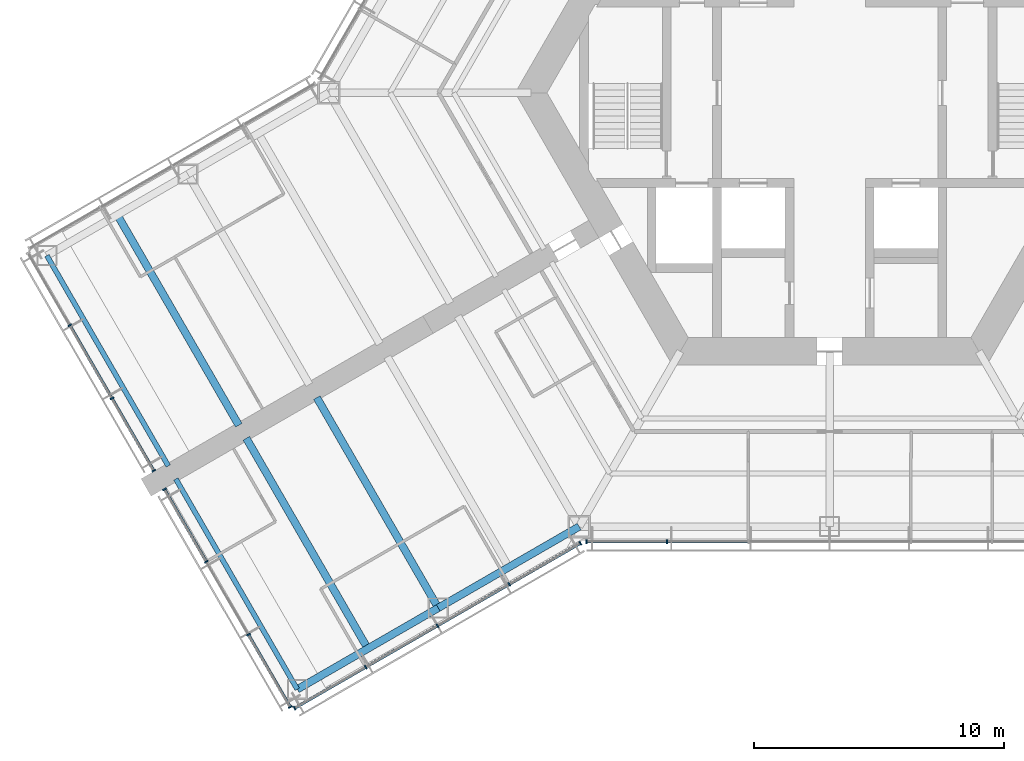
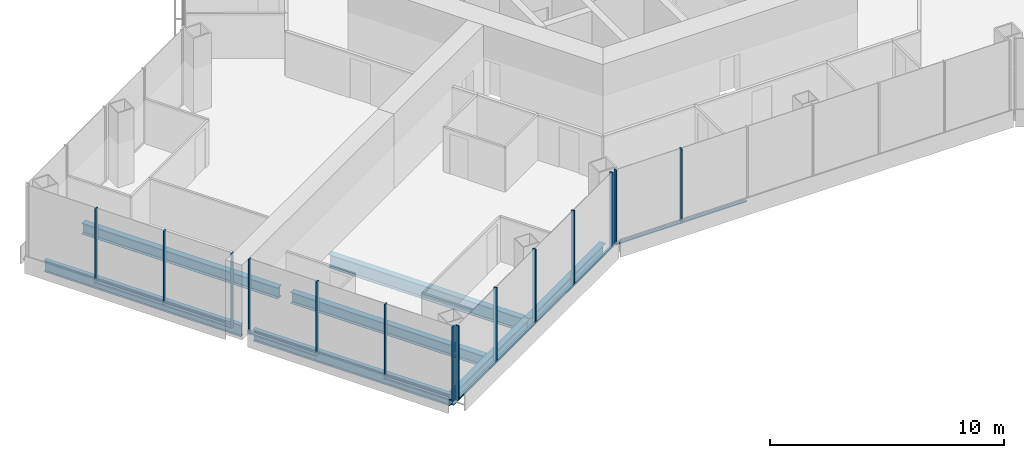
# One storey, part 2 of 18: 24 members, 7 beams, 4 elements without a shape of their own.
"""IFC4 building model written with IfcOpenShell, lengths in metres."""

from ifc_helpers import new_model, si_unit, direction, frame, origin, origin_2d, place, context, subcontext, project, spatial, rectangle, i_section, extrude, material, material_profile, profile_set, type_object, element, aggregate, save


model = new_model("IFC4")

# Units and contexts
model_context = context("Model", 3, precision=1e-05, world=origin(), true_north=direction((0.0, 1.0)))
body_context = subcontext(model_context, "Body", "Model", "MODEL_VIEW")
ifc_project = project(units=[si_unit("LENGTHUNIT", "METRE"), si_unit("AREAUNIT", "SQUARE_METRE"), si_unit("VOLUMEUNIT", "CUBIC_METRE"), si_unit("PLANEANGLEUNIT", "RADIAN"), si_unit("MASSUNIT", "GRAM", prefix="KILO")], contexts=[model_context])

# Site, building, storey
site_placement = place(None, origin())
site = spatial("IfcSite", under=ifc_project, at=site_placement, CompositionType="ELEMENT")
building_placement = place(site_placement, origin())
building = spatial("IfcBuilding", under=site, at=building_placement, Name="Kasaneha Research Tower", CompositionType="ELEMENT")
storey_placement = place(building_placement, frame((0.0, 0.0, 119.699951171875)))
storey = spatial("IfcBuildingStorey", under=building, at=storey_placement, Name="L30", CompositionType="ELEMENT", Elevation=119.699951171875)

# Beams
ifc_material_1 = material(Name="Steel SN490B", Category="steel")
ifc_material_profile_1 = material_profile(ifc_material_1, i_section(OverallWidth=0.300048828125, OverallDepth=0.58203125, WebThickness=0.011962890625, FlangeThickness=0.01708984375, FilletRadius=0.012939453125, at=origin_2d()), Name="H-582x300x12x17")
ifc_profile_set_1 = profile_set([ifc_material_profile_1], Name="Steel SN490B")
beam_type_1 = type_object("IfcBeamType", Name="B2-3 secondary beam H-582x300x12x17", PredefinedType="JOIST", material=ifc_profile_set_1)
for number, where, z_axis, x_axis, name in (
    (1, (-28.44384765625, -4.875, -0.44091796875), (0.500010041276, -0.866019606374, 0.0), (0.866019606374, 0.500010041276, 0.0), "Secondary beam WBBP2 L30"),
    (2, (-18.44384765625, -22.195556640625, -0.44091796875), (-0.499991164321, 0.866030505006, 0.0), (-0.866030505006, -0.499991164321, 0.0), "Secondary beam WBBN2 L30"),
):
    element("IfcBeam", number, at=place(storey_placement, frame(where, z_axis=z_axis, x_axis=x_axis)), inside=storey, type_object=beam_type_1, Name=name, PredefinedType="JOIST", context=body_context, shape_type="SweptSolid", body=[
        extrude(i_section(OverallWidth=0.300048828125, OverallDepth=0.58203125, WebThickness=0.011962890625, FlangeThickness=0.01708984375, FilletRadius=0.012939453125, at=origin_2d()), origin(), (0.0, 0.0, 1.0), 9.699951171875),
    ])

# Curtain wall, members
ifc_material_2 = material(Name="Glass and aluminium", Category="aluminium")
curtain_wall_type = type_object("IfcCurtainWallType", Name="Low-rise office curtain wall", PredefinedType="USERDEFINED", material=ifc_material_2)
curtain_wall_1_placement = place(storey_placement, origin())
curtain_wall_1 = element("IfcCurtainWall", 3, at=curtain_wall_1_placement, inside=storey, type_object=curtain_wall_type, Name="CW-O1 L30 run 01a", ObjectType="UNITISED CURTAIN WALL", PredefinedType="USERDEFINED")
ifc_material_3 = material(Name="Aluminium 6063-T6", Category="aluminium")
ifc_material_profile_2 = material_profile(ifc_material_3, rectangle(XDim=0.06005859375, YDim=0.159912109375, at=origin_2d()), Name="CW-O1 mullion 60x160")
ifc_profile_set_2 = profile_set([ifc_material_profile_2], Name="Aluminium 6063-T6")
member_type_1 = type_object("IfcMemberType", Name="CW-O1 mullion", PredefinedType="MULLION", material=ifc_profile_set_2)
member_1_placement = place(storey_placement, frame((-21.365478515625, -24.5751953125, 0.0), z_axis=(0.0, 0.0, 1.0), x_axis=(0.866025411464, 0.499999986699, 0.0)))
member_1 = element("IfcMember", 4, at=member_1_placement, type_object=member_type_1, Name="CW-O1 mullion 1", PredefinedType="MULLION", context=body_context, shape_type="SweptSolid", body=[
    extrude(rectangle(XDim=0.06005859375, YDim=0.159912109375, at=origin_2d()), origin(), (0.0, 0.0, 1.0), 3.900146484375),
])
member_2_placement = place(storey_placement, frame((-18.52490234375, -22.935302734375, 0.0), z_axis=(0.0, 0.0, 1.0), x_axis=(0.866025411464, 0.499999986699, 0.0)))
member_2 = element("IfcMember", 5, at=member_2_placement, type_object=member_type_1, Name="CW-O1 mullion 2", PredefinedType="MULLION", context=body_context, shape_type="SweptSolid", body=[
    extrude(rectangle(XDim=0.06005859375, YDim=0.159912109375, at=origin_2d()), origin(), (0.0, 0.0, 1.0), 3.900146484375),
])
member_3_placement = place(storey_placement, frame((-15.65869140625, -21.2802734375, 0.0), z_axis=(0.0, 0.0, 1.0), x_axis=(0.866025411464, 0.499999986699, 0.0)))
member_3 = element("IfcMember", 6, at=member_3_placement, type_object=member_type_1, Name="CW-O1 mullion 3", PredefinedType="MULLION", context=body_context, shape_type="SweptSolid", body=[
    extrude(rectangle(XDim=0.06005859375, YDim=0.159912109375, at=origin_2d()), origin(), (0.0, 0.0, 1.0), 3.900146484375),
])
member_4_placement = place(storey_placement, frame((-12.792236328125, -19.62548828125, 0.0), z_axis=(0.0, 0.0, 1.0), x_axis=(0.866025411464, 0.499999986699, 0.0)))
member_4 = element("IfcMember", 7, at=member_4_placement, type_object=member_type_1, Name="CW-O1 mullion 4", PredefinedType="MULLION", context=body_context, shape_type="SweptSolid", body=[
    extrude(rectangle(XDim=0.06005859375, YDim=0.159912109375, at=origin_2d()), origin(), (0.0, 0.0, 1.0), 3.900146484375),
])
member_5_placement = place(storey_placement, frame((-9.951904296875, -17.985595703125, 0.0), z_axis=(0.0, 0.0, 1.0), x_axis=(0.866025411464, 0.499999986699, 0.0)))
member_5 = element("IfcMember", 8, at=member_5_placement, type_object=member_type_1, Name="CW-O1 mullion 5", PredefinedType="MULLION", context=body_context, shape_type="SweptSolid", body=[
    extrude(rectangle(XDim=0.06005859375, YDim=0.159912109375, at=origin_2d()), origin(), (0.0, 0.0, 1.0), 3.900146484375),
])

curtain_wall_2_placement = place(storey_placement, origin())
curtain_wall_2 = element("IfcCurtainWall", 9, at=curtain_wall_2_placement, inside=storey, type_object=curtain_wall_type, Name="CW-O1 L30 run 02a", ObjectType="UNITISED CURTAIN WALL", PredefinedType="USERDEFINED")
member_6_placement = place(storey_placement, frame((-9.709228515625, -17.92041015625, 0.0), z_axis=(0.0, 0.0, 1.0), x_axis=(1.0, 0.0, 0.0)))
member_6 = element("IfcMember", 10, at=member_6_placement, type_object=member_type_1, Name="CW-O1 mullion 1", PredefinedType="MULLION", context=body_context, shape_type="SweptSolid", body=[
    extrude(rectangle(XDim=0.06005859375, YDim=0.159912109375, at=origin_2d()), origin(), (0.0, 0.0, 1.0), 3.900146484375),
])
member_7_placement = place(storey_placement, frame((-6.492919921875, -17.92041015625, 0.0), z_axis=(0.0, 0.0, 1.0), x_axis=(1.0, 0.0, 0.0)))
member_7 = element("IfcMember", 11, at=member_7_placement, type_object=member_type_1, Name="CW-O1 mullion 2", PredefinedType="MULLION", context=body_context, shape_type="SweptSolid", body=[
    extrude(rectangle(XDim=0.06005859375, YDim=0.159912109375, at=origin_2d()), origin(), (0.0, 0.0, 1.0), 3.900146484375),
])

curtain_wall_3_placement = place(storey_placement, origin())
curtain_wall_3 = element("IfcCurtainWall", 12, at=curtain_wall_3_placement, inside=storey, type_object=curtain_wall_type, Name="CW-O1 L30 run 14a", ObjectType="UNITISED CURTAIN WALL", PredefinedType="USERDEFINED")
member_8_placement = place(storey_placement, frame((-30.3447265625, -9.28271484375, 0.0), z_axis=(0.0, 0.0, 1.0), x_axis=(0.500000011442, -0.866025397178, 0.0)))
member_8 = element("IfcMember", 13, at=member_8_placement, type_object=member_type_1, Name="CW-O1 mullion 2", PredefinedType="MULLION", context=body_context, shape_type="SweptSolid", body=[
    extrude(rectangle(XDim=0.06005859375, YDim=0.159912109375, at=origin_2d()), origin(), (0.0, 0.0, 1.0), 3.900146484375),
])
member_9_placement = place(storey_placement, frame((-28.661376953125, -12.1982421875, 0.0), z_axis=(0.0, 0.0, 1.0), x_axis=(0.500000011442, -0.866025397178, 0.0)))
member_9 = element("IfcMember", 14, at=member_9_placement, type_object=member_type_1, Name="CW-O1 mullion 3", PredefinedType="MULLION", context=body_context, shape_type="SweptSolid", body=[
    extrude(rectangle(XDim=0.06005859375, YDim=0.159912109375, at=origin_2d()), origin(), (0.0, 0.0, 1.0), 3.900146484375),
])
member_10_placement = place(storey_placement, frame((-26.992919921875, -15.087890625, 0.0), z_axis=(0.0, 0.0, 1.0), x_axis=(0.500000011442, -0.866025397178, 0.0)))
member_10 = element("IfcMember", 15, at=member_10_placement, type_object=member_type_1, Name="CW-O1 mullion 4", PredefinedType="MULLION", context=body_context, shape_type="SweptSolid", body=[
    extrude(rectangle(XDim=0.06005859375, YDim=0.159912109375, at=origin_2d()), origin(), (0.0, 0.0, 1.0), 3.900146484375),
])

curtain_wall_4_placement = place(storey_placement, origin())
curtain_wall_4 = element("IfcCurtainWall", 16, at=curtain_wall_4_placement, inside=storey, type_object=curtain_wall_type, Name="CW-O1 L30 run 15a", ObjectType="UNITISED CURTAIN WALL", PredefinedType="USERDEFINED")
member_11_placement = place(storey_placement, frame((-26.56298828125, -15.832763671875, 0.0), z_axis=(0.0, 0.0, 1.0), x_axis=(0.500000011442, -0.866025397178, 0.0)))
member_11 = element("IfcMember", 17, at=member_11_placement, type_object=member_type_1, Name="CW-O1 mullion 1", PredefinedType="MULLION", context=body_context, shape_type="SweptSolid", body=[
    extrude(rectangle(XDim=0.06005859375, YDim=0.159912109375, at=origin_2d()), origin(), (0.0, 0.0, 1.0), 3.900146484375),
])
member_12_placement = place(storey_placement, frame((-24.89453125, -18.72216796875, 0.0), z_axis=(0.0, 0.0, 1.0), x_axis=(0.500000011442, -0.866025397178, 0.0)))
member_12 = element("IfcMember", 18, at=member_12_placement, type_object=member_type_1, Name="CW-O1 mullion 2", PredefinedType="MULLION", context=body_context, shape_type="SweptSolid", body=[
    extrude(rectangle(XDim=0.06005859375, YDim=0.159912109375, at=origin_2d()), origin(), (0.0, 0.0, 1.0), 3.900146484375),
])
member_13_placement = place(storey_placement, frame((-23.211181640625, -21.637939453125, 0.0), z_axis=(0.0, 0.0, 1.0), x_axis=(0.500000011442, -0.866025397178, 0.0)))
member_13 = element("IfcMember", 19, at=member_13_placement, type_object=member_type_1, Name="CW-O1 mullion 3", PredefinedType="MULLION", context=body_context, shape_type="SweptSolid", body=[
    extrude(rectangle(XDim=0.06005859375, YDim=0.159912109375, at=origin_2d()), origin(), (0.0, 0.0, 1.0), 3.900146484375),
])
member_14_placement = place(storey_placement, frame((-21.54296875, -24.527587890625, 0.0), z_axis=(0.0, 0.0, 1.0), x_axis=(0.500000011442, -0.866025397178, 0.0)))
member_14 = element("IfcMember", 20, at=member_14_placement, type_object=member_type_1, Name="CW-O1 mullion 4", PredefinedType="MULLION", context=body_context, shape_type="SweptSolid", body=[
    extrude(rectangle(XDim=0.06005859375, YDim=0.159912109375, at=origin_2d()), origin(), (0.0, 0.0, 1.0), 3.900146484375),
])

# Member
ifc_material_4 = material(Name="Aluminium 6063-T6", Category="aluminium")
ifc_material_profile_3 = material_profile(ifc_material_4, rectangle(XDim=0.1201171875, YDim=0.06005859375, at=origin_2d()), Name="CW-O1 transom 120x60")
ifc_profile_set_3 = profile_set([ifc_material_profile_3], Name="Aluminium 6063-T6")
member_type_2 = type_object("IfcMemberType", Name="CW-O1 transom", PredefinedType="USERDEFINED", material=ifc_profile_set_3)
member_15_placement = place(storey_placement, frame((-21.33935546875, -24.56005859375, 0.030029296875), z_axis=(0.866022692473, 0.500004696101, 0.0), x_axis=(-0.500004696101, 0.866022692473, 0.0)))
member_15 = element("IfcMember", 21, at=member_15_placement, type_object=member_type_2, Name="CW-O1 transom 1", ObjectType="TRANSOM", PredefinedType="USERDEFINED", context=body_context, shape_type="SweptSolid", body=[
    extrude(rectangle(XDim=0.1201171875, YDim=0.06005859375, at=origin_2d()), origin(), (0.0, 0.0, 1.0), 3.2197265625),
])

member_16_placement = place(storey_placement, frame((-18.4990234375, -22.920166015625, 0.030029296875), z_axis=(0.86604797581, 0.499960902066, 0.0), x_axis=(-0.499960902066, 0.86604797581, 0.0)))
member_16 = element("IfcMember", 22, at=member_16_placement, type_object=member_type_2, Name="CW-O1 transom 2", ObjectType="TRANSOM", PredefinedType="USERDEFINED", context=body_context, shape_type="SweptSolid", body=[
    extrude(rectangle(XDim=0.1201171875, YDim=0.06005859375, at=origin_2d()), origin(), (0.0, 0.0, 1.0), 3.249755859375),
])

member_17_placement = place(storey_placement, frame((-15.632568359375, -21.265380859375, 0.030029296875), z_axis=(0.866015446554, 0.500017246033, 0.0), x_axis=(-0.500017246033, 0.866015446554, 0.0)))
member_17 = element("IfcMember", 23, at=member_17_placement, type_object=member_type_2, Name="CW-O1 transom 3", ObjectType="TRANSOM", PredefinedType="USERDEFINED", context=body_context, shape_type="SweptSolid", body=[
    extrude(rectangle(XDim=0.1201171875, YDim=0.06005859375, at=origin_2d()), origin(), (0.0, 0.0, 1.0), 3.25),
])

member_18_placement = place(storey_placement, frame((-12.76611328125, -19.6103515625, 0.030029296875), z_axis=(0.866022692473, 0.500004696101, 0.0), x_axis=(-0.500004696101, 0.866022692473, 0.0)))
member_18 = element("IfcMember", 24, at=member_18_placement, type_object=member_type_2, Name="CW-O1 transom 4", ObjectType="TRANSOM", PredefinedType="USERDEFINED", context=body_context, shape_type="SweptSolid", body=[
    extrude(rectangle(XDim=0.1201171875, YDim=0.06005859375, at=origin_2d()), origin(), (0.0, 0.0, 1.0), 3.2197265625),
])

aggregate(curtain_wall_1, [member_1, member_2, member_3, member_4, member_5, member_15, member_16, member_17, member_18])

member_19_placement = place(storey_placement, frame((-9.67919921875, -17.92041015625, 0.030029296875), z_axis=(1.0, 0.0, 0.0), x_axis=(0.0, 1.0, 0.0)))
member_19 = element("IfcMember", 25, at=member_19_placement, type_object=member_type_2, Name="CW-O1 transom 1", ObjectType="TRANSOM", PredefinedType="USERDEFINED", context=body_context, shape_type="SweptSolid", body=[
    extrude(rectangle(XDim=0.1201171875, YDim=0.06005859375, at=origin_2d()), origin(), (0.0, 0.0, 1.0), 3.156494140625),
])

member_20_placement = place(storey_placement, frame((-6.462890625, -17.92041015625, 0.030029296875), z_axis=(1.0, 0.0, 0.0), x_axis=(0.0, 1.0, 0.0)))
member_20 = element("IfcMember", 26, at=member_20_placement, type_object=member_type_2, Name="CW-O1 transom 2", ObjectType="TRANSOM", PredefinedType="USERDEFINED", context=body_context, shape_type="SweptSolid", body=[
    extrude(rectangle(XDim=0.1201171875, YDim=0.06005859375, at=origin_2d()), origin(), (0.0, 0.0, 1.0), 3.1865234375),
])

aggregate(curtain_wall_2, [member_6, member_7, member_19, member_20])

member_21_placement = place(storey_placement, frame((-30.32958984375, -9.30859375, 0.030029296875), z_axis=(0.499982354831, -0.866035590988, 0.0), x_axis=(0.866035590988, 0.499982354831, 0.0)))
member_21 = element("IfcMember", 27, at=member_21_placement, type_object=member_type_2, Name="CW-O1 transom 2", ObjectType="TRANSOM", PredefinedType="USERDEFINED", context=body_context, shape_type="SweptSolid", body=[
    extrude(rectangle(XDim=0.1201171875, YDim=0.06005859375, at=origin_2d()), origin(), (0.0, 0.0, 1.0), 3.306640625),
])

member_22_placement = place(storey_placement, frame((-28.646240234375, -12.22412109375, 0.030029296875), z_axis=(0.499969700927, -0.866042896256, 0.0), x_axis=(0.866042896256, 0.499969700927, 0.0)))
member_22 = element("IfcMember", 28, at=member_22_placement, type_object=member_type_2, Name="CW-O1 transom 3", ObjectType="TRANSOM", PredefinedType="USERDEFINED", context=body_context, shape_type="SweptSolid", body=[
    extrude(rectangle(XDim=0.1201171875, YDim=0.06005859375, at=origin_2d()), origin(), (0.0, 0.0, 1.0), 3.276611328125),
])

aggregate(curtain_wall_3, [member_8, member_9, member_10, member_21, member_22])

member_23_placement = place(storey_placement, frame((-26.5478515625, -15.858642578125, 0.030029296875), z_axis=(0.499969700927, -0.866042896256, 0.0), x_axis=(0.866042896256, 0.499969700927, 0.0)))
member_23 = element("IfcMember", 29, at=member_23_placement, type_object=member_type_2, Name="CW-O1 transom 1", ObjectType="TRANSOM", PredefinedType="USERDEFINED", context=body_context, shape_type="SweptSolid", body=[
    extrude(rectangle(XDim=0.1201171875, YDim=0.06005859375, at=origin_2d()), origin(), (0.0, 0.0, 1.0), 3.276611328125),
])

member_24_placement = place(storey_placement, frame((-23.1962890625, -21.663818359375, 0.030029296875), z_axis=(0.500025583411, -0.866010632691, 0.0), x_axis=(0.866010632691, 0.500025583411, 0.0)))
member_24 = element("IfcMember", 30, at=member_24_placement, type_object=member_type_2, Name="CW-O1 transom 3", ObjectType="TRANSOM", PredefinedType="USERDEFINED", context=body_context, shape_type="SweptSolid", body=[
    extrude(rectangle(XDim=0.1201171875, YDim=0.06005859375, at=origin_2d()), origin(), (0.0, 0.0, 1.0), 3.276611328125),
])

aggregate(curtain_wall_4, [member_11, member_12, member_13, member_14, member_23, member_24])

# Beams
ifc_material_5 = material(Name="Steel SN490B", Category="steel")
ifc_material_profile_4 = material_profile(ifc_material_5, i_section(OverallWidth=0.300048828125, OverallDepth=0.699951171875, WebThickness=0.012939453125, FlangeThickness=0.02392578125, FilletRadius=0.01806640625, at=origin_2d()), Name="H-700x300x13x24")
ifc_profile_set_4 = profile_set([ifc_material_profile_4], Name="Steel SN490B")
beam_type_2 = type_object("IfcBeamType", Name="G4-3 wing girder H-700x300x13x24", PredefinedType="BEAM", material=ifc_profile_set_4)
beam_placement = place(storey_placement, frame((-15.629150390625, -20.570556640625, -0.5), z_axis=(-0.500010041276, 0.866019606374, 0.0), x_axis=(-0.866019606374, -0.500010041276, 0.0)))
element("IfcBeam", 31, at=beam_placement, inside=storey, type_object=beam_type_2, Name="Wing girder WGBN L30", PredefinedType="BEAM", context=body_context, shape_type="SweptSolid", body=[
    extrude(i_section(OverallWidth=0.300048828125, OverallDepth=0.699951171875, WebThickness=0.012939453125, FlangeThickness=0.02392578125, FilletRadius=0.01806640625, at=origin_2d()), origin(), (0.0, 0.0, 1.0), 9.699951171875),
])
ifc_material_6 = material(Name="Steel SN490B", Category="steel")
ifc_material_profile_5 = material_profile(ifc_material_6, i_section(OverallWidth=0.300048828125, OverallDepth=0.58203125, WebThickness=0.011962890625, FlangeThickness=0.01708984375, FilletRadius=0.012939453125, at=origin_2d()), Name="H-582x300x12x17")
ifc_profile_set_5 = profile_set([ifc_material_profile_5], Name="Steel SN490B")
beam_type_3 = type_object("IfcBeamType", Name="SB2-3 spandrel beam H-582x300x12x17", PredefinedType="SPANDREL", material=ifc_profile_set_5)
for number, where, z_axis, x_axis, name in (
    (32, (-10.0, -17.320556640625, -0.44091796875), (-0.866024837091, -0.50000098154, 0.0), (0.50000098154, -0.866024837091, 0.0), "Spandrel beam WSBN1 L30"),
    (33, (-15.629150390625, -20.570556640625, -0.44091796875), (-0.866024837091, -0.50000098154, 0.0), (0.50000098154, -0.866024837091, 0.0), "Spandrel beam WSBN2 L30"),
):
    element("IfcBeam", number, at=place(storey_placement, frame(where, z_axis=z_axis, x_axis=x_axis)), inside=storey, type_object=beam_type_3, Name=name, PredefinedType="SPANDREL", context=body_context, shape_type="SweptSolid", body=[
        extrude(i_section(OverallWidth=0.300048828125, OverallDepth=0.58203125, WebThickness=0.011962890625, FlangeThickness=0.01708984375, FilletRadius=0.012939453125, at=origin_2d()), origin(), (0.0, 0.0, 1.0), 6.5),
    ])
ifc_material_7 = material(Name="Steel SN490B", Category="steel")
ifc_material_profile_6 = material_profile(ifc_material_7, i_section(OverallWidth=0.199951171875, OverallDepth=0.60009765625, WebThickness=0.010986328125, FlangeThickness=0.01708984375, FilletRadius=0.012939453125, at=origin_2d()), Name="H-600x200x11x17")
ifc_profile_set_6 = profile_set([ifc_material_profile_6], Name="Steel SN490B")
beam_type_4 = type_object("IfcBeamType", Name="SB3-3 spandrel beam H-600x200x11x17", PredefinedType="SPANDREL", material=ifc_profile_set_6)
for number, where, z_axis, x_axis, name in (
    (34, (-31.25830078125, -6.5, -0.449951171875), (0.499991164321, -0.866030505006, 0.0), (0.866030505006, 0.499991164321, 0.0), "Spandrel beam WTBP L30"),
    (35, (-21.25830078125, -23.820556640625, -0.449951171875), (-0.500010041276, 0.866019606374, 0.0), (-0.866019606374, -0.500010041276, 0.0), "Spandrel beam WTBN L30"),
):
    element("IfcBeam", number, at=place(storey_placement, frame(where, z_axis=z_axis, x_axis=x_axis)), inside=storey, type_object=beam_type_4, Name=name, PredefinedType="SPANDREL", context=body_context, shape_type="SweptSolid", body=[
        extrude(i_section(OverallWidth=0.199951171875, OverallDepth=0.60009765625, WebThickness=0.010986328125, FlangeThickness=0.01708984375, FilletRadius=0.012939453125, at=origin_2d()), origin(), (0.0, 0.0, 1.0), 9.699951171875),
    ])

save(model, "model.ifc")
